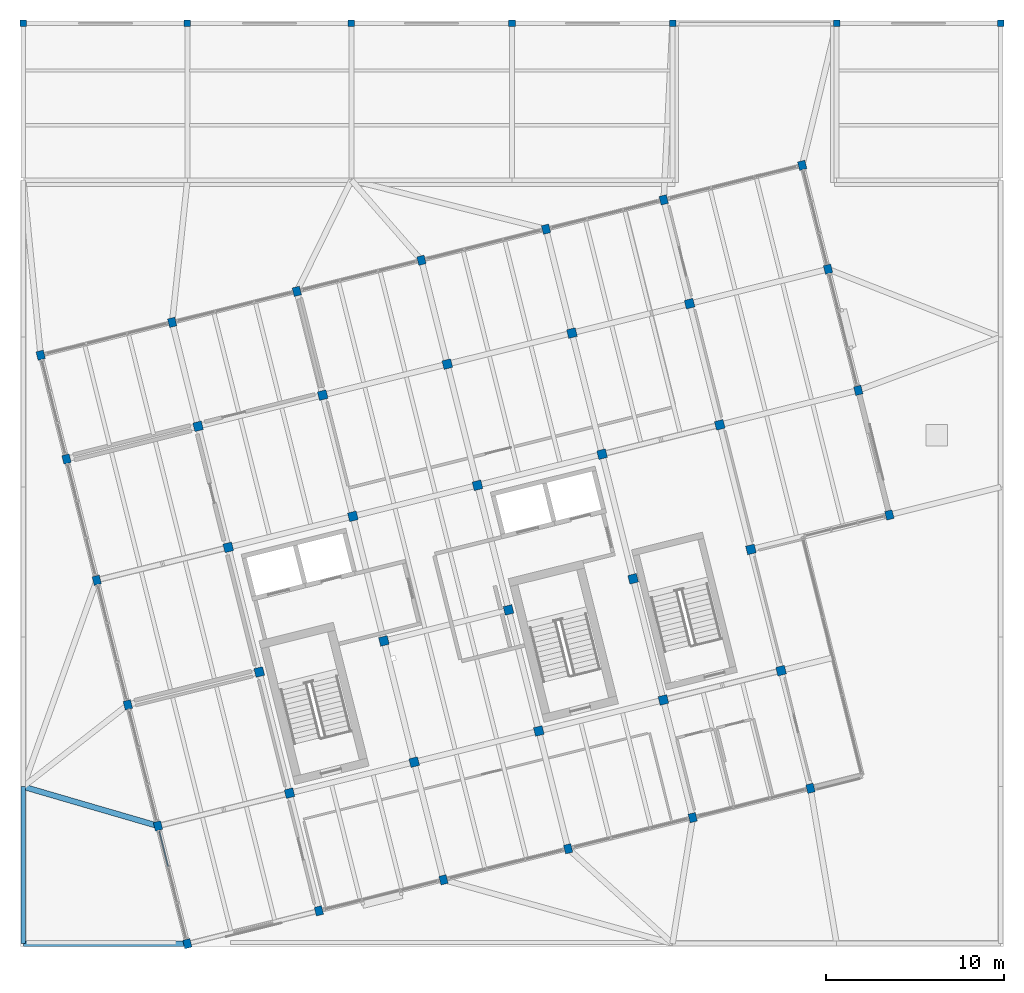
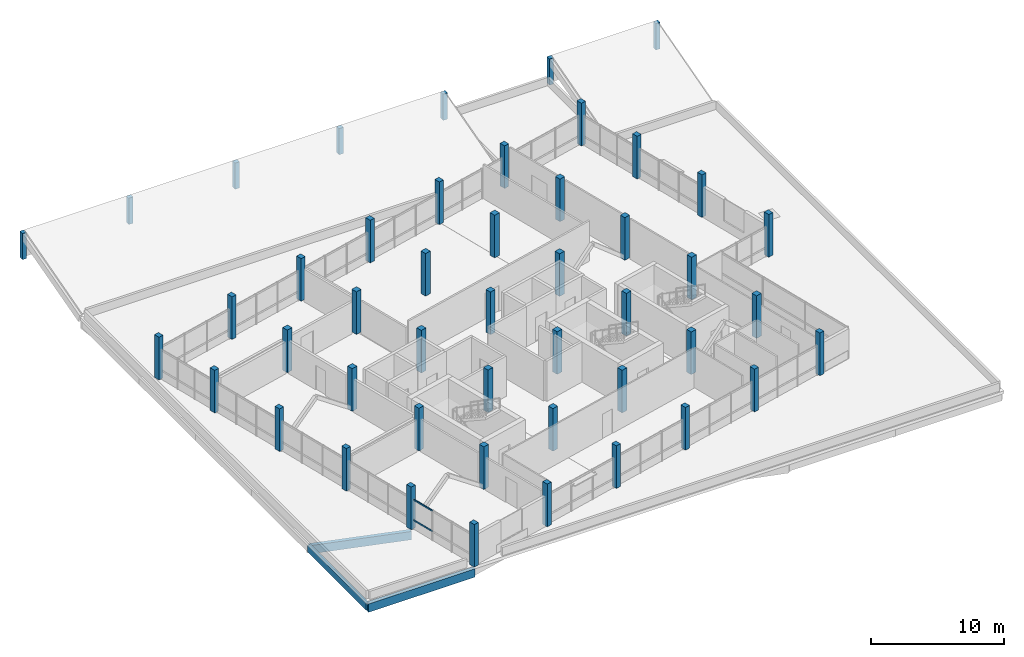
# One storey, part 1 of 37: 47 columns, 3 beams, 2 members, 1 element without a shape of its own.
"""IFC4 building model written with IfcOpenShell, lengths in metres."""

from ifc_helpers import new_model, si_unit, direction, frame, origin, origin_2d, place, context, subcontext, project, spatial, rectangle, hollow_rectangle, extrude, material, layer, layer_set, material_profile, profile_set, type_object, element, aggregate, save


model = new_model("IFC4")

# Units and contexts
model_context = context("Model", 3, precision=1e-05, world=origin(), true_north=direction((0.0, 1.0)))
body_context = subcontext(model_context, "Body", "Model", "MODEL_VIEW")
ifc_project = project(units=[si_unit("LENGTHUNIT", "METRE"), si_unit("AREAUNIT", "SQUARE_METRE"), si_unit("VOLUMEUNIT", "CUBIC_METRE"), si_unit("PLANEANGLEUNIT", "RADIAN"), si_unit("MASSUNIT", "GRAM", prefix="KILO")], contexts=[model_context])

# Site, building, storey
site_placement = place(None, origin())
site = spatial("IfcSite", under=ifc_project, at=site_placement, CompositionType="ELEMENT")
building_placement = place(site_placement, origin())
building = spatial("IfcBuilding", under=site, at=building_placement, Name="Meriwether Solvik Hall", CompositionType="ELEMENT")
storey_placement = place(building_placement, frame((0.0, 0.0, 26.10009765625)))
storey = spatial("IfcBuildingStorey", under=building, at=storey_placement, Name="L06", CompositionType="ELEMENT", Elevation=26.10009765625)

# Columns
ifc_material_1 = material(Name="Glulam Douglas-Fir L2 GL28c", Category="wood")
ifc_material_profile_1 = material_profile(ifc_material_1, rectangle(XDim=0.364990234375, YDim=0.364990234375, at=origin_2d()), Name="GLC-365X365")
ifc_profile_set_1 = profile_set([ifc_material_profile_1], Name="Glulam Douglas-Fir L2 GL28c")
column_type_1 = type_object("IfcColumnType", Name="COL-GL-365X365", PredefinedType="COLUMN", material=ifc_profile_set_1)
for number, where, z_axis, x_axis, name in (
    (1, (86.800048828125, 92.800048828125, 0.0), (0.0, 0.0, 1.0), (1.0, 0.0, 0.0), "Roof Ridge Post 10/K (L06)"),
    (2, (95.800048828125, 92.800048828125, 0.0), (0.0, 0.0, 1.0), (1.0, 0.0, 0.0), "Roof Ridge Post 11/K (L06)"),
    (3, (105.0, 92.800048828125, 0.0), (0.0, 0.0, 1.0), (1.0, 0.0, 0.0), "Roof Ridge Post 12/K (L06)"),
    (4, (114.199951171875, 92.800048828125, 0.0), (0.0, 0.0, 1.0), (1.0, 0.0, 0.0), "Roof Ridge Post 13/K (L06)"),
    (5, (59.39990234375, 92.800048828125, 0.0), (0.0, 0.0, 1.0), (1.0, 0.0, 0.0), "Roof Ridge Post 7/K (L06)"),
    (6, (68.60009765625, 92.800048828125, 0.0), (0.0, 0.0, 1.0), (1.0, 0.0, 0.0), "Roof Ridge Post 8/K (L06)"),
    (7, (77.800048828125, 92.800048828125, 0.0), (0.0, 0.0, 1.0), (1.0, 0.0, 0.0), "Roof Ridge Post 9/K (L06)"),
):
    element("IfcColumn", number, at=place(storey_placement, frame(where, z_axis=z_axis, x_axis=x_axis)), inside=storey, type_object=column_type_1, Name=name, PredefinedType="COLUMN", context=body_context, shape_type="SweptSolid", body=[
        extrude(rectangle(XDim=0.364990234375, YDim=0.364990234375, at=origin_2d()), origin(), (0.0, 0.0, 1.0), 2.40087890625),
    ])
ifc_material_2 = material(Name="Glulam Douglas-Fir L2 GL28c", Category="wood")
ifc_material_profile_2 = material_profile(ifc_material_2, rectangle(XDim=0.419921875, YDim=0.4951171875, at=origin_2d()), Name="GLC-420X495")
ifc_profile_set_2 = profile_set([ifc_material_profile_2], Name="Glulam Douglas-Fir L2 GL28c")
column_type_2 = type_object("IfcColumnType", Name="COL-GL-420X495", PredefinedType="COLUMN", material=ifc_profile_set_2)
for number, where, z_axis, x_axis, name in (
    (8, (68.60009765625, 41.199951171875, 0.0), (0.0, 0.0, 1.0), (0.970295726276, 0.2419218956, 0.0), "Tower Column T1/TA (L06)"),
    (9, (66.954833984375, 47.798095703125, 0.0), (0.0, 0.0, 1.0), (0.970295726276, 0.2419218956, 0.0), "Tower Column T1/TB (L06)"),
    (10, (65.261474609375, 54.590087890625, 0.0), (0.0, 0.0, 1.0), (0.970295726276, 0.2419218956, 0.0), "Tower Column T1/TC (L06)"),
    (11, (63.51953125, 61.576171875, 0.0), (0.0, 0.0, 1.0), (0.970295726276, 0.2419218956, 0.0), "Tower Column T1/TD (L06)"),
    (12, (61.826171875, 68.3681640625, 0.0), (0.0, 0.0, 1.0), (0.970295726276, 0.2419218956, 0.0), "Tower Column T1/TE (L06)"),
    (13, (60.374755859375, 74.18994140625, 0.0), (0.0, 0.0, 1.0), (0.970295726276, 0.2419218956, 0.0), "Tower Column T1/TF (L06)"),
    (14, (75.974365234375, 43.03857421875, 0.0), (0.0, 0.0, 1.0), (0.970295726276, 0.2419218956, 0.0), "Tower Column T2/TA (L06)"),
    (15, (67.7490234375, 76.028564453125, 0.0), (0.0, 0.0, 1.0), (0.970295726276, 0.2419218956, 0.0), "Tower Column T2/TF (L06)"),
    (16, (82.96044921875, 44.780517578125, 0.0), (0.0, 0.0, 1.0), (0.970295726276, 0.2419218956, 0.0), "Tower Column T3/TA (L06)"),
    (17, (74.735107421875, 77.7705078125, 0.0), (0.0, 0.0, 1.0), (0.970295726276, 0.2419218956, 0.0), "Tower Column T3/TF (L06)"),
    (18, (89.946533203125, 46.522216796875, 0.0), (0.0, 0.0, 1.0), (0.970295726276, 0.2419218956, 0.0), "Tower Column T4/TA (L06)"),
    (19, (81.72119140625, 79.512451171875, 0.0), (0.0, 0.0, 1.0), (0.970295726276, 0.2419218956, 0.0), "Tower Column T4/TF (L06)"),
    (20, (96.9326171875, 48.26416015625, 0.0), (0.0, 0.0, 1.0), (0.970295726276, 0.2419218956, 0.0), "Tower Column T5/TA (L06)"),
    (21, (88.707275390625, 81.254150390625, 0.0), (0.0, 0.0, 1.0), (0.970295726276, 0.2419218956, 0.0), "Tower Column T5/TF (L06)"),
    (22, (103.53076171875, 49.9091796875, 0.0), (0.0, 0.0, 1.0), (0.970295726276, 0.2419218956, 0.0), "Tower Column T6/TA (L06)"),
    (23, (95.305419921875, 82.899169921875, 0.0), (0.0, 0.0, 1.0), (0.970295726276, 0.2419218956, 0.0), "Tower Column T6/TF (L06)"),
    (24, (107.95458984375, 65.234619140625, 0.0), (0.0, 0.0, 1.0), (0.970295726276, 0.2419218956, 0.0), "Tower Column T7/TC (L06)"),
    (25, (106.212646484375, 72.220703125, 0.0), (0.0, 0.0, 1.0), (0.970295726276, 0.2419218956, 0.0), "Tower Column T7/TD (L06)"),
    (26, (104.519287109375, 79.012939453125, 0.0), (0.0, 0.0, 1.0), (0.970295726276, 0.2419218956, 0.0), "Tower Column T7/TE (L06)"),
    (27, (103.067626953125, 84.834716796875, 0.0), (0.0, 0.0, 1.0), (0.970295726276, 0.2419218956, 0.0), "Tower Column T7/TF (L06)"),
):
    element("IfcColumn", number, at=place(storey_placement, frame(where, z_axis=z_axis, x_axis=x_axis)), inside=storey, type_object=column_type_2, Name=name, PredefinedType="COLUMN", context=body_context, shape_type="SweptSolid", body=[
        extrude(rectangle(XDim=0.419921875, YDim=0.4951171875, at=origin_2d()), origin(), (0.0, 0.0, 1.0), 3.89990234375),
    ])
ifc_material_3 = material(Name="Glulam Douglas-Fir L2 GL28c", Category="wood")
ifc_material_profile_3 = material_profile(ifc_material_3, rectangle(XDim=0.4951171875, YDim=0.4951171875, at=origin_2d()), Name="GLC-495X495")
ifc_profile_set_3 = profile_set([ifc_material_profile_3], Name="Glulam Douglas-Fir L2 GL28c")
column_type_3 = type_object("IfcColumnType", Name="COL-GL-495X495", PredefinedType="COLUMN", material=ifc_profile_set_3)
for number, where, z_axis, x_axis, name in (
    (28, (74.3291015625, 49.63671875, 0.0), (0.0, 0.0, 1.0), (0.970295726276, 0.2419218956, 0.0), "Tower Column T2/TB (L06)"),
    (29, (72.6357421875, 56.4287109375, 0.0), (0.0, 0.0, 1.0), (0.970295726276, 0.2419218956, 0.0), "Tower Column T2/TC (L06)"),
    (30, (70.893798828125, 63.414794921875, 0.0), (0.0, 0.0, 1.0), (0.970295726276, 0.2419218956, 0.0), "Tower Column T2/TD (L06)"),
    (31, (69.200439453125, 70.206787109375, 0.0), (0.0, 0.0, 1.0), (0.970295726276, 0.2419218956, 0.0), "Tower Column T2/TE (L06)"),
    (32, (81.3154296875, 51.37841796875, 0.0), (0.0, 0.0, 1.0), (0.970295726276, 0.2419218956, 0.0), "Tower Column T3/TB (L06)"),
    (33, (79.621826171875, 58.17041015625, 0.0), (0.0, 0.0, 1.0), (0.970295726276, 0.2419218956, 0.0), "Tower Column T3/TC (L06)"),
    (34, (77.880126953125, 65.15673828125, 0.0), (0.0, 0.0, 1.0), (0.970295726276, 0.2419218956, 0.0), "Tower Column T3/TD (L06)"),
    (35, (76.1865234375, 71.94873046875, 0.0), (0.0, 0.0, 1.0), (0.970295726276, 0.2419218956, 0.0), "Tower Column T3/TE (L06)"),
    (36, (88.301513671875, 53.120361328125, 0.0), (0.0, 0.0, 1.0), (0.970295726276, 0.2419218956, 0.0), "Tower Column T4/TB (L06)"),
    (37, (86.60791015625, 59.912353515625, 0.0), (0.0, 0.0, 1.0), (0.970295726276, 0.2419218956, 0.0), "Tower Column T4/TC (L06)"),
    (38, (84.8662109375, 66.8984375, 0.0), (0.0, 0.0, 1.0), (0.970295726276, 0.2419218956, 0.0), "Tower Column T4/TD (L06)"),
    (39, (83.172607421875, 73.690673828125, 0.0), (0.0, 0.0, 1.0), (0.970295726276, 0.2419218956, 0.0), "Tower Column T4/TE (L06)"),
    (40, (95.28759765625, 54.862060546875, 0.0), (0.0, 0.0, 1.0), (0.970295726276, 0.2419218956, 0.0), "Tower Column T5/TB (L06)"),
    (41, (93.593994140625, 61.654296875, 0.0), (0.0, 0.0, 1.0), (0.970295726276, 0.2419218956, 0.0), "Tower Column T5/TC (L06)"),
    (42, (91.852294921875, 68.640380859375, 0.0), (0.0, 0.0, 1.0), (0.970295726276, 0.2419218956, 0.0), "Tower Column T5/TD (L06)"),
    (43, (90.158935546875, 75.432373046875, 0.0), (0.0, 0.0, 1.0), (0.970295726276, 0.2419218956, 0.0), "Tower Column T5/TE (L06)"),
    (44, (101.885498046875, 56.507080078125, 0.0), (0.0, 0.0, 1.0), (0.970295726276, 0.2419218956, 0.0), "Tower Column T6/TB (L06)"),
    (45, (100.192138671875, 63.29931640625, 0.0), (0.0, 0.0, 1.0), (0.970295726276, 0.2419218956, 0.0), "Tower Column T6/TC (L06)"),
    (46, (98.4501953125, 70.285400390625, 0.0), (0.0, 0.0, 1.0), (0.970295726276, 0.2419218956, 0.0), "Tower Column T6/TD (L06)"),
    (47, (96.7568359375, 77.077392578125, 0.0), (0.0, 0.0, 1.0), (0.970295726276, 0.2419218956, 0.0), "Tower Column T6/TE (L06)"),
):
    element("IfcColumn", number, at=place(storey_placement, frame(where, z_axis=z_axis, x_axis=x_axis)), inside=storey, type_object=column_type_3, Name=name, PredefinedType="COLUMN", context=body_context, shape_type="SweptSolid", body=[
        extrude(rectangle(XDim=0.4951171875, YDim=0.4951171875, at=origin_2d()), origin(), (0.0, 0.0, 1.0), 3.89990234375),
    ])

# Beams
ifc_material_4 = material(Name="Glulam Douglas-Fir 24F-V8 GL28h", Category="wood")
ifc_material_profile_4 = material_profile(ifc_material_4, rectangle(XDim=0.27294921875, YDim=0.610107421875, at=origin_2d()), Name="GLB-273X610")
ifc_profile_set_4 = profile_set([ifc_material_profile_4], Name="Glulam Douglas-Fir 24F-V8 GL28h")
beam_type_1 = type_object("IfcBeamType", Name="BM-GL-273X610", PredefinedType="SPANDREL", material=ifc_profile_set_4)
beam_1_placement = place(storey_placement, frame((59.39990234375, 41.199951171875, -0.5751953125), z_axis=(0.0, 1.0, 0.0), x_axis=(-1.0, 0.0, 0.0)))
element("IfcBeam", 48, at=beam_1_placement, inside=storey, type_object=beam_type_1, Name="Podium Girder 7:E-F (L06)", PredefinedType="SPANDREL", context=body_context, shape_type="SweptSolid", body=[
    extrude(rectangle(XDim=0.27294921875, YDim=0.610107421875, at=origin_2d()), origin(), (0.0, 0.0, 1.0), 8.800048828125),
])
ifc_material_5 = material(Name="Glulam Douglas-Fir 24F-V8 GL28h", Category="wood")
ifc_material_profile_5 = material_profile(ifc_material_5, rectangle(XDim=0.31494140625, YDim=0.760009765625, at=origin_2d()), Name="GLB-315X760")
ifc_profile_set_5 = profile_set([ifc_material_profile_5], Name="Glulam Douglas-Fir 24F-V8 GL28h")
beam_type_2 = type_object("IfcBeamType", Name="BM-GL-315X760", PredefinedType="BEAM", material=ifc_profile_set_5)
beam_2_placement = place(storey_placement, frame((68.60009765625, 41.199951171875, -0.650146484375), z_axis=(-1.0, 0.0, 0.0), x_axis=(0.0, -1.0, 0.0)))
element("IfcBeam", 49, at=beam_2_placement, inside=storey, type_object=beam_type_2, Name="Diaphragm Collector Girder T1/TA-7/E (L06)", PredefinedType="BEAM", context=body_context, shape_type="SweptSolid", body=[
    extrude(rectangle(XDim=0.31494140625, YDim=0.760009765625, at=origin_2d()), origin(), (0.0, 0.0, 1.0), 9.2001953125),
])
beam_3_placement = place(storey_placement, frame((66.954833984375, 47.798095703125, -0.650146484375), z_axis=(-0.960055229861, 0.279810570952, 0.0), x_axis=(-0.279810570952, -0.960055229861, 0.0)))
element("IfcBeam", 50, at=beam_3_placement, inside=storey, type_object=beam_type_2, Name="Diaphragm Collector Girder T1/TB-7/F (L06)", PredefinedType="BEAM", context=body_context, shape_type="SweptSolid", body=[
    extrude(rectangle(XDim=0.31494140625, YDim=0.760009765625, at=origin_2d()), origin(), (0.0, 0.0, 1.0), 7.869384765625),
])

# Curtain wall, members
ifc_material_6 = material(Name="Thermally Broken Anodised Aluminium 6063-T6 and Low-E Glass", Category="aluminium")
ifc_layer = layer(ifc_material_6, 0.179931640625)
ifc_layer_set = layer_set([ifc_layer], Name="Thermally Broken Anodised Aluminium 6063-T6 and Low-E Glass")
curtain_wall_type = type_object("IfcCurtainWallType", Name="CW-UNIT-B", PredefinedType="USERDEFINED", material=ifc_layer_set)
curtain_wall_placement = place(storey_placement, origin())
curtain_wall = element("IfcCurtainWall", 51, at=curtain_wall_placement, inside=storey, type_object=curtain_wall_type, Name="Curtain Wall E5_B0 (L06)", ObjectType="UNITISED CURTAIN WALL", PredefinedType="USERDEFINED")
ifc_material_7 = material(Name="Anodised Aluminium 6063-T6", Category="aluminium")
ifc_material_profile_6 = material_profile(ifc_material_7, hollow_rectangle(XDim=0.06494140625, YDim=0.139892578125, WallThickness=0.00439453125, at=origin_2d()), Name="CWT-65X140")
ifc_profile_set_6 = profile_set([ifc_material_profile_6], Name="Anodised Aluminium 6063-T6")
member_type = type_object("IfcMemberType", Name="CW-TRN-65X140", PredefinedType="USERDEFINED", material=ifc_profile_set_6)
member_1_placement = place(storey_placement, frame((67.524169921875, 45.5146484375, 0.824951171875), z_axis=(-0.241920801712, 0.970295999012, 0.0), x_axis=(-0.970295999012, -0.241920801712, 0.0)))
member_1 = element("IfcMember", 52, at=member_1_placement, type_object=member_type, Name="Curtain Wall Transom 3-sill", ObjectType="TRANSOM", PredefinedType="USERDEFINED", context=body_context, shape_type="SweptSolid", body=[
    extrude(hollow_rectangle(XDim=0.06494140625, YDim=0.139892578125, WallThickness=0.00439453125, at=origin_2d()), origin(), (0.0, 0.0, 1.0), 2.0556640625),
])
member_2_placement = place(storey_placement, frame((67.524169921875, 45.5146484375, 2.68994140625), z_axis=(-0.241920801712, 0.970295999012, 0.0), x_axis=(-0.970295999012, -0.241920801712, 0.0)))
member_2 = element("IfcMember", 53, at=member_2_placement, type_object=member_type, Name="Curtain Wall Transom 3-head", ObjectType="TRANSOM", PredefinedType="USERDEFINED", context=body_context, shape_type="SweptSolid", body=[
    extrude(hollow_rectangle(XDim=0.06494140625, YDim=0.139892578125, WallThickness=0.00439453125, at=origin_2d()), origin(), (0.0, 0.0, 1.0), 2.0556640625),
])
aggregate(curtain_wall, [member_1, member_2])

save(model, "model.ifc")
